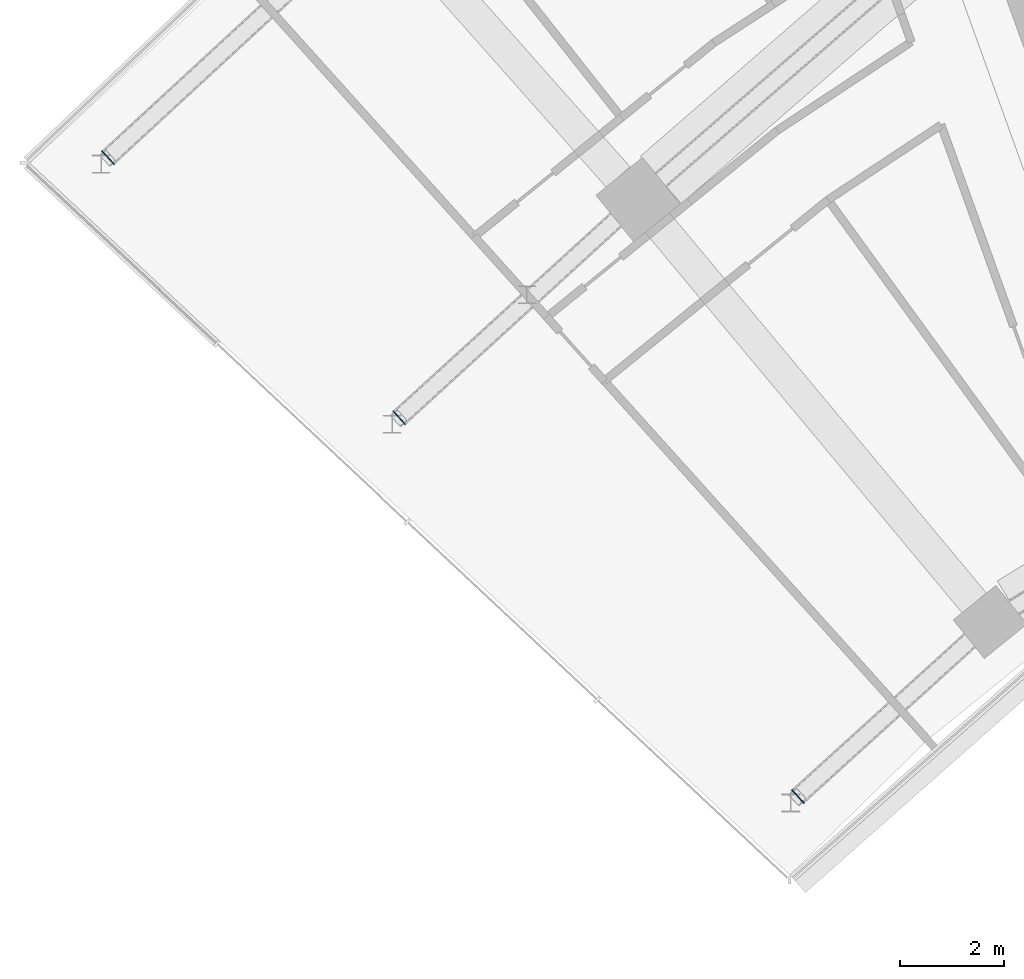
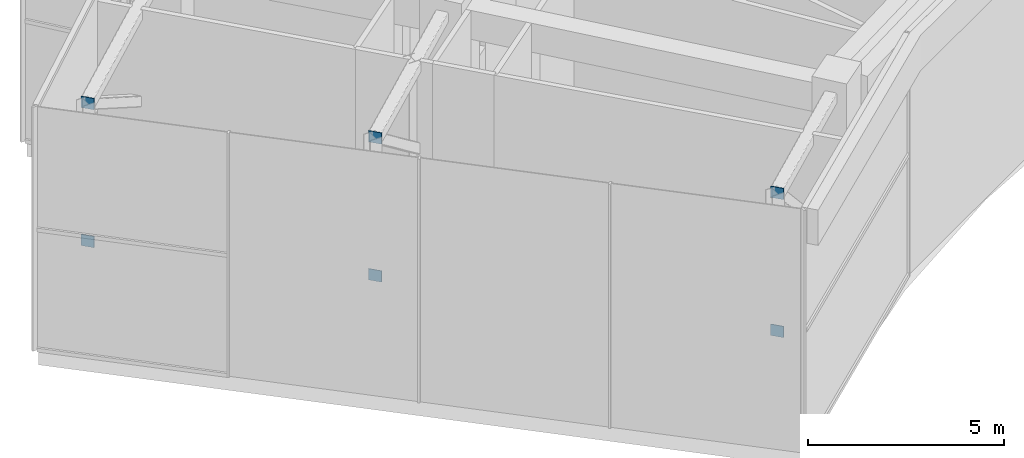
# One storey, part 17 of 26: 6 plates.
"""IFC4 building model written with IfcOpenShell, lengths in metres."""

from ifc_helpers import new_model, si_unit, direction, frame, origin, origin_2d, place, context, subcontext, project, spatial, rectangle, extrude, material, layer, layer_set, type_object, element, save


model = new_model("IFC4")

# Units and contexts
model_context = context("Model", 3, precision=1e-05, world=origin(), true_north=direction((0.0, 1.0)))
body_context = subcontext(model_context, "Body", "Model", "MODEL_VIEW")
ifc_project = project(units=[si_unit("LENGTHUNIT", "METRE"), si_unit("AREAUNIT", "SQUARE_METRE"), si_unit("VOLUMEUNIT", "CUBIC_METRE"), si_unit("PLANEANGLEUNIT", "RADIAN"), si_unit("MASSUNIT", "GRAM", prefix="KILO")], contexts=[model_context])

# Site, building, storey
site_placement = place(None, origin())
site = spatial("IfcSite", under=ifc_project, at=site_placement, CompositionType="ELEMENT")
building_placement = place(site_placement, origin())
building = spatial("IfcBuilding", under=site, at=building_placement, Name="Stone Belt Terrace Tower", CompositionType="ELEMENT")
storey_placement = place(building_placement, frame((0.0, 0.0, 250.39990234375)))
storey = spatial("IfcBuildingStorey", under=building, at=storey_placement, Name="L61", CompositionType="ELEMENT", Elevation=250.39990234375)

# Plates
ifc_material = material(Name="Structural steel C345", Category="steel")
ifc_layer = layer(ifc_material, 0.02001953125)
ifc_layer_set = layer_set([ifc_layer], Name="Chord end plate 20")
plate_type = type_object("IfcPlateType", Name="Chord end plate 20", PredefinedType="SHEET", material=ifc_layer_set)
for number, where, z_axis, x_axis, name in (
    (1, (-31.5986328125, 31.240478515625, 6.900146484375), (0.0, 0.0, 1.0), (-0.740453955726, -0.672107089272, 0.0), "Chord end plate"),
    (2, (-31.5986328125, 31.240478515625, 2.60009765625), (0.0, 0.0, 1.0), (-0.740453955726, -0.672107089272, 0.0), "Chord end plate"),
    (3, (-39.25244140625, 38.510986328125, 6.900146484375), (0.0, 0.0, 1.0), (-0.738407086668, -0.674355228613, 0.0), "Chord end plate"),
    (4, (-39.25244140625, 38.510986328125, 2.60009765625), (0.0, 0.0, 1.0), (-0.738407086668, -0.674355228613, 0.0), "Chord end plate"),
    (5, (-44.841796875, 43.505859375, 6.900146484375), (0.0, 0.0, 1.0), (-0.734900391646, -0.678175061735, 0.0), "Chord end plate"),
    (6, (-44.841796875, 43.505859375, 2.60009765625), (0.0, 0.0, 1.0), (-0.734900391646, -0.678175061735, 0.0), "Chord end plate"),
):
    element("IfcPlate", number, at=place(storey_placement, frame(where, z_axis=z_axis, x_axis=x_axis)), inside=storey, type_object=plate_type, Name=name, PredefinedType="SHEET", context=body_context, shape_type="SweptSolid", body=[
        extrude(rectangle(XDim=0.02001953125, YDim=0.35009765625, at=origin_2d()), origin(), (0.0, 0.0, 1.0), 0.35009765625),
    ])

save(model, "model.ifc")
